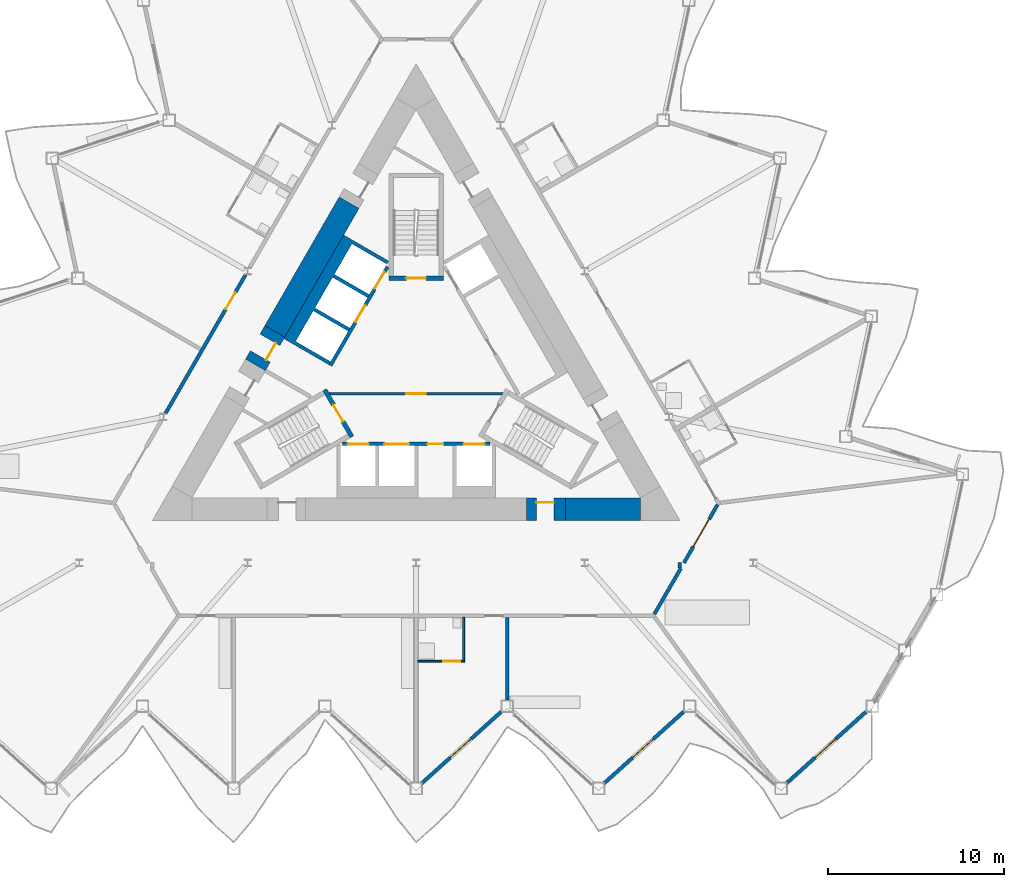
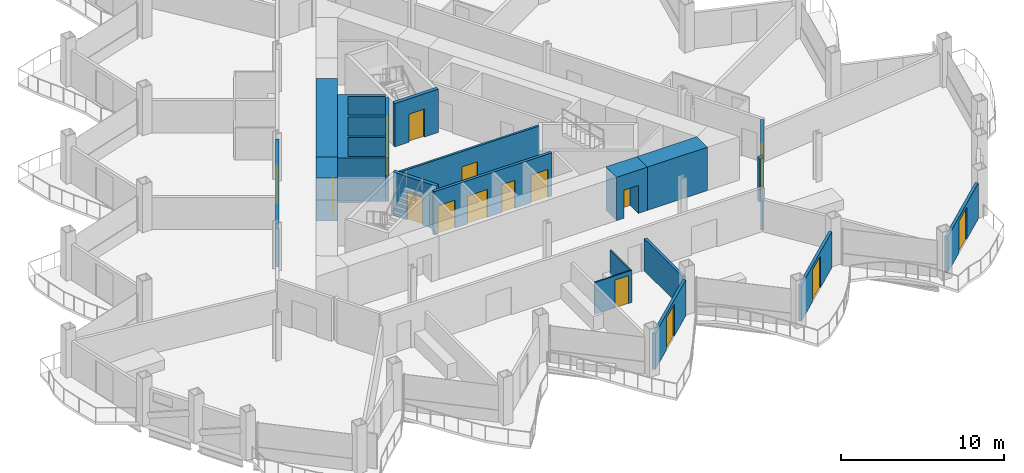
# One storey, part 12 of 24: 20 walls, 17 doors, 17 openings.
"""IFC4 building model written with IfcOpenShell, lengths in metres."""

from ifc_helpers import new_model, si_unit, direction, frame, frame_2d, origin, place, context, subcontext, project, spatial, polyline, rectangle, outline, extrude, material, layer, layer_set, type_object, element, fill, save


model = new_model("IFC4")

# Units and contexts
model_context = context("Model", 3, precision=1e-05, world=origin(), true_north=direction((0.0, 1.0)))
body_context = subcontext(model_context, "Body", "Model", "MODEL_VIEW")
ifc_project = project(units=[si_unit("LENGTHUNIT", "METRE"), si_unit("AREAUNIT", "SQUARE_METRE"), si_unit("VOLUMEUNIT", "CUBIC_METRE"), si_unit("PLANEANGLEUNIT", "RADIAN"), si_unit("MASSUNIT", "GRAM", prefix="KILO")], contexts=[model_context])

# Site, building, storey
site_placement = place(None, origin())
site = spatial("IfcSite", under=ifc_project, at=site_placement, CompositionType="ELEMENT")
building_placement = place(site_placement, origin())
building = spatial("IfcBuilding", under=site, at=building_placement, Name="Cormorant Prow Tower", CompositionType="ELEMENT")
storey_placement = place(building_placement, frame((0.0, 0.0, 270.60009765625)))
storey = spatial("IfcBuildingStorey", under=building, at=storey_placement, Name="L61", CompositionType="ELEMENT", Elevation=270.60009765625)

# Wall, opening, door
ifc_material_1 = material(Name="Gypsum board partition")
ifc_layer_1 = layer(ifc_material_1, 0.14990234375)
ifc_layer_set_1 = layer_set([ifc_layer_1], Name="Gypsum board partition")
wall_type_1 = type_object("IfcWallType", Name="Core partition 150", PredefinedType="PARTITIONING", material=ifc_layer_set_1)
wall_1_placement = place(storey_placement, frame((-4.941162109375, -1.449951171875, 0.0), z_axis=(0.0, 0.0, 1.0), x_axis=(1.0, 0.0, 0.0)))
wall_1 = element("IfcWall", 1, at=wall_1_placement, inside=storey, type_object=wall_type_1, Name="Firefighting lobby partition", PredefinedType="PARTITIONING", context=body_context, shape_type="SweptSolid", body=[
    extrude(rectangle(XDim=9.88232421875, YDim=0.14990234375, at=frame_2d((4.941162109375, 0.0))), origin(), (0.0, 0.0, 1.0), 3.25),
])
opening_1_placement = place(wall_1_placement, frame((4.39111328125, 0.0, 0.0)))
opening_1 = element("IfcOpeningElement", 2, at=opening_1_placement, cuts=wall_1, Name="Opening L61-C09", PredefinedType="OPENING", context=body_context, shape_type="SweptSolid", body=[
    extrude(rectangle(XDim=1.10009765625, YDim=2.10009765625, at=frame_2d((0.550048828125, 1.050048828125))), frame((0.0, 0.0849609375, 0.0), z_axis=(0.0, -1.0, 0.0), x_axis=(1.0, 0.0, 0.0)), (0.0, 0.0, 1.0), 0.169921875),
])
ifc_material_2 = material(Name="Painted steel", Category="steel")
door_type_1 = type_object("IfcDoorType", Name="Firefighting lobby door 1100x2100", OperationType="NOTDEFINED", PredefinedType="DOOR", material=ifc_material_2)
door_1_placement = place(opening_1_placement, origin())
door_1 = element("IfcDoor", 3, at=door_1_placement, inside=storey, type_object=door_type_1, Name="Firefighting lobby door", OperationType="SINGLE_SWING_LEFT", OverallHeight=2.10009765625, OverallWidth=1.10009765625, PredefinedType="DOOR", context=body_context, shape_type="SweptSolid", body=[
    extrude(rectangle(XDim=1.10009765625, YDim=2.10009765625, at=frame_2d((0.550048828125, 1.050048828125))), frame((0.0, 0.02490234375, 0.0), z_axis=(0.0, -1.0, 0.0), x_axis=(1.0, 0.0, 0.0)), (0.0, 0.0, 1.0), 0.050048828125),
])
fill(opening_1, door_1)

# Walls
ifc_material_3 = material(Name="Concrete 8000 psi", Category="concrete")
ifc_layer_2 = layer(ifc_material_3, 1.300048828125)
ifc_layer_set_2 = layer_set([ifc_layer_2], Name="Concrete 8000 psi")
wall_type_2 = type_object("IfcWallType", Name="Core shear wall 1300", PredefinedType="SHEAR", material=ifc_layer_set_2)
wall_2_placement = place(storey_placement, frame((8.48828125, -8.01025390625, 0.0), z_axis=(0.0, 0.0, 1.0), x_axis=(1.0, 0.0, 0.0)))
element("IfcWall", 4, at=wall_2_placement, inside=storey, type_object=wall_type_2, Name="Core wall", PredefinedType="SHEAR", context=body_context, shape_type="SweptSolid", body=[
    extrude(rectangle(XDim=4.260009765625, YDim=1.300048828125, at=frame_2d((2.1298828125, 0.0))), origin(), (0.0, 0.0, 1.0), 3.25),
])
wall_3_placement = place(storey_placement, frame((-3.811767578125, 9.41845703125, 0.0), z_axis=(0.0, 0.0, 1.0), x_axis=(-0.499995037753, -0.86602826872, 0.0)))
element("IfcWall", 5, at=wall_3_placement, inside=storey, type_object=wall_type_2, Name="Core wall", PredefinedType="SHEAR", context=body_context, shape_type="SweptSolid", body=[
    extrude(rectangle(XDim=8.45068359375, YDim=1.300048828125, at=frame_2d((4.225341796875, 0.0))), origin(), (0.0, 0.0, 1.0), 3.25),
])

# Wall, opening, door
wall_4_placement = place(storey_placement, frame((6.2880859375, -8.01025390625, 0.0), z_axis=(0.0, 0.0, 1.0), x_axis=(1.0, 0.0, 0.0)))
wall_4 = element("IfcWall", 6, at=wall_4_placement, inside=storey, type_object=wall_type_2, Name="Core wall door panel", PredefinedType="SHEAR", context=body_context, shape_type="SweptSolid", body=[
    extrude(rectangle(XDim=2.2001953125, YDim=1.300048828125, at=frame_2d((1.10009765625, 0.0))), origin(), (0.0, 0.0, 1.0), 3.25),
])
opening_2_placement = place(wall_4_placement, frame((0.550048828125, 0.0, 0.0)))
opening_2 = element("IfcOpeningElement", 7, at=opening_2_placement, cuts=wall_4, Name="Opening L61-C13", PredefinedType="OPENING", context=body_context, shape_type="SweptSolid", body=[
    extrude(rectangle(XDim=1.0, YDim=2.10009765625, at=frame_2d((0.5, 1.050048828125))), frame((0.0, 0.659912109375, 0.0), z_axis=(0.0, -1.0, 0.0), x_axis=(1.0, 0.0, 0.0)), (0.0, 0.0, 1.0), 1.320068359375),
])
ifc_material_4 = material(Name="Painted steel", Category="steel")
door_type_2 = type_object("IfcDoorType", Name="Service door 1000x2100", OperationType="NOTDEFINED", PredefinedType="DOOR", material=ifc_material_4)
door_2_placement = place(opening_2_placement, origin())
door_2 = element("IfcDoor", 8, at=door_2_placement, inside=storey, type_object=door_type_2, Name="Core door, Telecom room", OperationType="SINGLE_SWING_RIGHT", OverallHeight=2.10009765625, OverallWidth=1.0, PredefinedType="DOOR", context=body_context, shape_type="SweptSolid", body=[
    extrude(rectangle(XDim=1.0, YDim=2.10009765625, at=frame_2d((0.5, 1.050048828125))), frame((0.0, 0.40478515625, 0.0), z_axis=(0.0, -1.0, 0.0), x_axis=(1.0, 0.0, 0.0)), (0.0, 0.0, 1.0), 0.050048828125),
])
fill(opening_2, door_2)

wall_5_placement = place(storey_placement, frame((-8.037109375, 2.099853515625, 0.0), z_axis=(0.0, 0.0, 1.0), x_axis=(-0.50002983664, -0.866008176907, 0.0)))
wall_5 = element("IfcWall", 9, at=wall_5_placement, inside=storey, type_object=wall_type_2, Name="Core wall door panel", PredefinedType="SHEAR", context=body_context, shape_type="SweptSolid", body=[
    extrude(rectangle(XDim=2.199951171875, YDim=1.300048828125, at=frame_2d((1.10009765625, 0.0))), origin(), (0.0, 0.0, 1.0), 3.25),
])
opening_3_placement = place(wall_5_placement, frame((0.550048828125, 0.0, 0.0)))
opening_3 = element("IfcOpeningElement", 10, at=opening_3_placement, cuts=wall_5, Name="Opening L61-C19", PredefinedType="OPENING", context=body_context, shape_type="SweptSolid", body=[
    extrude(rectangle(XDim=1.10009765625, YDim=2.10009765625, at=frame_2d((0.550048828125, 1.050048828125))), frame((0.0, 0.659912109375, 0.0), z_axis=(0.0, -1.0, 0.0), x_axis=(1.0, 0.0, 0.0)), (0.0, 0.0, 1.0), 1.320068359375),
])
ifc_material_5 = material(Name="Painted steel", Category="steel")
door_type_3 = type_object("IfcDoorType", Name="Core door 1100x2100", OperationType="NOTDEFINED", PredefinedType="DOOR", material=ifc_material_5)
door_3_placement = place(opening_3_placement, origin())
door_3 = element("IfcDoor", 11, at=door_3_placement, inside=storey, type_object=door_type_3, Name="Core door, lift lobby", OperationType="SINGLE_SWING_RIGHT", OverallHeight=2.10009765625, OverallWidth=1.10009765625, PredefinedType="DOOR", context=body_context, shape_type="SweptSolid", body=[
    extrude(rectangle(XDim=1.10009765625, YDim=2.10009765625, at=frame_2d((0.550048828125, 1.050048828125))), frame((0.0, 0.40478515625, 0.0), z_axis=(0.0, -1.0, 0.0), x_axis=(1.0, 0.0, 0.0)), (0.0, 0.0, 1.0), 0.050048828125),
])
fill(opening_3, door_3)

ifc_material_6 = material(Name="Gypsum board corridor wall")
ifc_layer_3 = layer(ifc_material_6, 0.199951171875)
ifc_layer_set_3 = layer_set([ifc_layer_3], Name="Gypsum board corridor wall")
wall_type_3 = type_object("IfcWallType", Name="Corridor wall 200", PredefinedType="PARTITIONING", material=ifc_layer_set_3)
wall_6_placement = place(storey_placement, frame((-14.24658203125, -2.5556640625, 0.0), z_axis=(0.0, 0.0, 1.0), x_axis=(0.49998193945, 0.866035830797, 0.0)))
wall_6 = element("IfcWall", 12, at=wall_6_placement, inside=storey, type_object=wall_type_3, Name="Corridor wall", PredefinedType="PARTITIONING", context=body_context, shape_type="SweptSolid", body=[
    extrude(rectangle(XDim=9.094482421875, YDim=0.199951171875, at=frame_2d((4.54736328125, 0.0))), origin(), (0.0, 0.0, 1.0), 3.25),
])
opening_4_placement = place(wall_6_placement, frame((6.833251953125, 0.0, 0.0)))
opening_4 = element("IfcOpeningElement", 13, at=opening_4_placement, cuts=wall_6, Name="Opening L61-F17", PredefinedType="OPENING", context=body_context, shape_type="SweptSolid", body=[
    extrude(rectangle(XDim=1.10009765625, YDim=2.10009765625, at=frame_2d((0.550048828125, 1.050048828125))), frame((0.0, 0.10986328125, 0.0), z_axis=(0.0, -1.0, 0.0), x_axis=(1.0, 0.0, 0.0)), (0.0, 0.0, 1.0), 0.219970703125),
])
ifc_material_7 = material(Name="Timber door leaf", Category="wood")
door_type_4 = type_object("IfcDoorType", Name="Suite entrance door 1100x2100", OperationType="NOTDEFINED", PredefinedType="DOOR", material=ifc_material_7)
door_4_placement = place(opening_4_placement, origin())
door_4 = element("IfcDoor", 14, at=door_4_placement, inside=storey, type_object=door_type_4, Name="Junior suite door", OperationType="SINGLE_SWING_RIGHT", OverallHeight=2.10009765625, OverallWidth=1.10009765625, PredefinedType="DOOR", context=body_context, shape_type="SweptSolid", body=[
    extrude(rectangle(XDim=1.10009765625, YDim=2.10009765625, at=frame_2d((0.550048828125, 1.050048828125))), frame((0.0, 0.02490234375, 0.0), z_axis=(0.0, -1.0, 0.0), x_axis=(1.0, 0.0, 0.0)), (0.0, 0.0, 1.0), 0.050048828125),
])
fill(opening_4, door_4)

wall_7_placement = place(storey_placement, frame((15.23095703125, -11.060302734375, 0.0), z_axis=(0.0, 0.0, 1.0), x_axis=(0.499961815444, 0.866047448526, 0.0)))
wall_7 = element("IfcWall", 15, at=wall_7_placement, inside=storey, type_object=wall_type_3, Name="Corridor wall", PredefinedType="PARTITIONING", context=body_context, shape_type="SweptSolid", body=[
    extrude(rectangle(XDim=3.825927734375, YDim=0.199951171875, at=frame_2d((1.9130859375, 0.0))), origin(), (0.0, 0.0, 1.0), 3.25),
])
opening_5_placement = place(wall_7_placement, frame((1.06396484375, 0.0, 0.0)))
opening_5 = element("IfcOpeningElement", 16, at=opening_5_placement, cuts=wall_7, Name="Opening L61-F06", PredefinedType="OPENING", context=body_context, shape_type="SweptSolid", body=[
    extrude(rectangle(XDim=1.800048828125, YDim=2.10009765625, at=frame_2d((0.89990234375, 1.050048828125))), frame((0.0, 0.10986328125, 0.0), z_axis=(0.0, -1.0, 0.0), x_axis=(1.0, 0.0, 0.0)), (0.0, 0.0, 1.0), 0.219970703125),
])
ifc_material_8 = material(Name="Timber door leaf", Category="wood")
door_type_5 = type_object("IfcDoorType", Name="Double door 1800x2100", OperationType="DOUBLE_DOOR_SINGLE_SWING", PredefinedType="DOOR", material=ifc_material_8)
door_5_placement = place(opening_5_placement, origin())
door_5 = element("IfcDoor", 17, at=door_5_placement, inside=storey, type_object=door_type_5, Name="Co-working space door", OperationType="DOUBLE_DOOR_SINGLE_SWING", OverallHeight=2.10009765625, OverallWidth=1.800048828125, PredefinedType="DOOR", context=body_context, shape_type="SweptSolid", body=[
    extrude(rectangle(XDim=1.800048828125, YDim=2.10009765625, at=frame_2d((0.89990234375, 1.050048828125))), frame((0.0, 0.02490234375, 0.0), z_axis=(0.0, -1.0, 0.0), x_axis=(1.0, 0.0, 0.0)), (0.0, 0.0, 1.0), 0.050048828125),
])
fill(opening_5, door_5)

# Walls
wall_8_placement = place(storey_placement, frame((13.548828125, -13.9736328125, 0.0), z_axis=(0.0, 0.0, 1.0), x_axis=(0.500048608389, 0.865997337899, 0.0)))
element("IfcWall", 18, at=wall_8_placement, inside=storey, type_object=wall_type_3, Name="Corridor wall", PredefinedType="PARTITIONING", context=body_context, shape_type="SweptSolid", body=[
    extrude(rectangle(XDim=3.002197265625, YDim=0.199951171875, at=frame_2d((1.5009765625, 0.0))), origin(), (0.0, 0.0, 1.0), 3.25),
])
wall_9_placement = place(storey_placement, frame((15.0, -11.3603515625, 0.0), z_axis=(0.0, 0.0, 1.0), x_axis=(0.0, 1.0, 0.0)))
element("IfcWall", 19, at=wall_9_placement, inside=storey, type_object=wall_type_3, Name="Corridor wall", PredefinedType="PARTITIONING", context=body_context, shape_type="SweptSolid", body=[
    extrude(rectangle(XDim=0.31005859375, YDim=0.199951171875, at=frame_2d((0.155029296875, 0.0))), origin(), (0.0, 0.0, 1.0), 3.25),
])
ifc_material_9 = material(Name="Gypsum board demising wall")
ifc_layer_4 = layer(ifc_material_9, 0.199951171875)
ifc_layer_set_4 = layer_set([ifc_layer_4], Name="Gypsum board demising wall")
wall_type_4 = type_object("IfcWallType", Name="Demising wall 200", PredefinedType="PARTITIONING", material=ifc_layer_set_4)
wall_10_placement = place(storey_placement, frame((5.185302734375, -18.85546875, 0.0), z_axis=(0.0, 0.0, 1.0), x_axis=(0.0, 1.0, 0.0)))
element("IfcWall", 20, at=wall_10_placement, inside=storey, type_object=wall_type_4, Name="Demising wall", PredefinedType="PARTITIONING", context=body_context, shape_type="SweptSolid", body=[
    extrude(rectangle(XDim=4.695068359375, YDim=0.199951171875, at=frame_2d((2.34765625, 0.0))), origin(), (0.0, 0.0, 1.0), 2.404052734375),
])

# Wall, opening, door
ifc_material_10 = material(Name="Gypsum board partition")
ifc_layer_5 = layer(ifc_material_10, 0.10009765625)
ifc_layer_set_5 = layer_set([ifc_layer_5], Name="Gypsum board partition")
wall_type_5 = type_object("IfcWallType", Name="Internal partition 100", PredefinedType="PARTITIONING", material=ifc_layer_set_5)
wall_11_placement = place(storey_placement, frame((0.10009765625, -16.660400390625, 0.0), z_axis=(0.0, 0.0, 1.0), x_axis=(1.0, 0.0, 0.0)))
wall_11 = element("IfcWall", 21, at=wall_11_placement, inside=storey, type_object=wall_type_5, Name="Internal partition", PredefinedType="PARTITIONING", context=body_context, shape_type="SweptSolid", body=[
    extrude(rectangle(XDim=2.64990234375, YDim=0.10009765625, at=frame_2d((1.324951171875, 0.0))), origin(), (0.0, 0.0, 1.0), 2.404052734375),
])
opening_6_placement = place(wall_11_placement, frame((1.449951171875, 0.0, 0.0)))
opening_6 = element("IfcOpeningElement", 22, at=opening_6_placement, cuts=wall_11, Name="Opening L61-F04", PredefinedType="OPENING", context=body_context, shape_type="SweptSolid", body=[
    extrude(rectangle(XDim=0.949951171875, YDim=2.10009765625, at=frame_2d((0.47509765625, 1.050048828125))), frame((0.0, 0.06005859375, 0.0), z_axis=(0.0, -1.0, 0.0), x_axis=(1.0, 0.0, 0.0)), (0.0, 0.0, 1.0), 0.1201171875),
])
ifc_material_11 = material(Name="Timber door leaf", Category="wood")
door_type_6 = type_object("IfcDoorType", Name="Bathroom door 950x2100", OperationType="NOTDEFINED", PredefinedType="DOOR", material=ifc_material_11)
door_6_placement = place(opening_6_placement, origin())
door_6 = element("IfcDoor", 23, at=door_6_placement, inside=storey, type_object=door_type_6, Name="Guest room door", OperationType="SINGLE_SWING_RIGHT", OverallHeight=2.10009765625, OverallWidth=0.949951171875, PredefinedType="DOOR", context=body_context, shape_type="SweptSolid", body=[
    extrude(rectangle(XDim=0.949951171875, YDim=2.10009765625, at=frame_2d((0.47509765625, 1.050048828125))), frame((0.0, 0.02490234375, 0.0), z_axis=(0.0, -1.0, 0.0), x_axis=(1.0, 0.0, 0.0)), (0.0, 0.0, 1.0), 0.050048828125),
])
fill(opening_6, door_6)

# Wall
wall_12_placement = place(storey_placement, frame((2.699951171875, -16.6103515625, 0.0), z_axis=(0.0, 0.0, 1.0), x_axis=(0.0, 1.0, 0.0)))
element("IfcWall", 24, at=wall_12_placement, inside=storey, type_object=wall_type_5, Name="Internal partition", PredefinedType="PARTITIONING", context=body_context, shape_type="SweptSolid", body=[
    extrude(rectangle(XDim=2.449951171875, YDim=0.10009765625, at=frame_2d((1.22509765625, 0.0))), origin(), (0.0, 0.0, 1.0), 2.404052734375),
])

# Wall, openings, doors
ifc_material_12 = material(Name="Concrete 5000 psi", Category="concrete")
ifc_layer_6 = layer(ifc_material_12, 0.199951171875)
ifc_layer_set_6 = layer_set([ifc_layer_6], Name="Concrete 5000 psi")
wall_type_6 = type_object("IfcWallType", Name="Lift lobby wall 200", PredefinedType="SOLIDWALL", material=ifc_layer_set_6)
wall_13_placement = place(storey_placement, frame((-4.1865234375, -4.300048828125, 0.0), z_axis=(0.0, 0.0, 1.0), x_axis=(1.0, 0.0, 0.0)))
wall_13 = element("IfcWall", 25, at=wall_13_placement, inside=storey, type_object=wall_type_6, Name="Lift lobby wall, S block", PredefinedType="SOLIDWALL", context=body_context, shape_type="SweptSolid", body=[
    extrude(rectangle(XDim=8.373046875, YDim=0.199951171875, at=frame_2d((4.1865234375, 0.0))), origin(), (0.0, 0.0, 1.0), 3.25),
])
opening_7_placement = place(wall_13_placement, frame((0.28662109375, 0.0, 0.0)))
opening_7 = element("IfcOpeningElement", 26, at=opening_7_placement, cuts=wall_13, Name="Opening L61-C01", PredefinedType="OPENING", context=body_context, shape_type="SweptSolid", body=[
    extrude(rectangle(XDim=1.199951171875, YDim=2.10009765625, at=frame_2d((0.60009765625, 1.050048828125))), frame((0.0, 0.10986328125, 0.0), z_axis=(0.0, -1.0, 0.0), x_axis=(1.0, 0.0, 0.0)), (0.0, 0.0, 1.0), 0.219970703125),
])
opening_8_placement = place(wall_13_placement, frame((2.38671875, 0.0, 0.0)))
opening_8 = element("IfcOpeningElement", 27, at=opening_8_placement, cuts=wall_13, Name="Opening L61-C02", PredefinedType="OPENING", context=body_context, shape_type="SweptSolid", body=[
    extrude(rectangle(XDim=1.39990234375, YDim=2.10009765625, at=frame_2d((0.699951171875, 1.050048828125))), frame((0.0, 0.10986328125, 0.0), z_axis=(0.0, -1.0, 0.0), x_axis=(1.0, 0.0, 0.0)), (0.0, 0.0, 1.0), 0.219970703125),
])
opening_9_placement = place(wall_13_placement, frame((4.836669921875, 0.0, 0.0)))
opening_9 = element("IfcOpeningElement", 28, at=opening_9_placement, cuts=wall_13, Name="Opening L61-C03", PredefinedType="OPENING", context=body_context, shape_type="SweptSolid", body=[
    extrude(rectangle(XDim=0.89990234375, YDim=2.10009765625, at=frame_2d((0.449951171875, 1.050048828125))), frame((0.0, 0.10986328125, 0.0), z_axis=(0.0, -1.0, 0.0), x_axis=(1.0, 0.0, 0.0)), (0.0, 0.0, 1.0), 0.219970703125),
])
opening_10_placement = place(wall_13_placement, frame((6.88671875, 0.0, 0.0)))
opening_10 = element("IfcOpeningElement", 29, at=opening_10_placement, cuts=wall_13, Name="Opening L61-C04", PredefinedType="OPENING", context=body_context, shape_type="SweptSolid", body=[
    extrude(rectangle(XDim=1.199951171875, YDim=2.10009765625, at=frame_2d((0.60009765625, 1.050048828125))), frame((0.0, 0.10986328125, 0.0), z_axis=(0.0, -1.0, 0.0), x_axis=(1.0, 0.0, 0.0)), (0.0, 0.0, 1.0), 0.219970703125),
])
ifc_material_13 = material(Name="Painted steel", Category="steel")
door_type_7 = type_object("IfcDoorType", Name="Firefighting lift landing door 1200x2100", OperationType="SLIDING_TO_LEFT", PredefinedType="DOOR", material=ifc_material_13)
door_7_placement = place(opening_7_placement, origin())
door_7 = element("IfcDoor", 30, at=door_7_placement, inside=storey, type_object=door_type_7, Name="Landing door FL1", OperationType="SLIDING_TO_LEFT", OverallHeight=2.10009765625, OverallWidth=1.199951171875, PredefinedType="DOOR", context=body_context, shape_type="SweptSolid", body=[
    extrude(rectangle(XDim=1.199951171875, YDim=2.10009765625, at=frame_2d((0.60009765625, 1.050048828125))), frame((0.0, 0.02490234375, 0.0), z_axis=(0.0, -1.0, 0.0), x_axis=(1.0, 0.0, 0.0)), (0.0, 0.0, 1.0), 0.050048828125),
])
fill(opening_7, door_7)
door_8_placement = place(opening_10_placement, origin())
door_8 = element("IfcDoor", 31, at=door_8_placement, inside=storey, type_object=door_type_7, Name="Landing door FL2", OperationType="SLIDING_TO_LEFT", OverallHeight=2.10009765625, OverallWidth=1.199951171875, PredefinedType="DOOR", context=body_context, shape_type="SweptSolid", body=[
    extrude(rectangle(XDim=1.199951171875, YDim=2.10009765625, at=frame_2d((0.60009765625, 1.050048828125))), frame((0.0, 0.02490234375, 0.0), z_axis=(0.0, -1.0, 0.0), x_axis=(1.0, 0.0, 0.0)), (0.0, 0.0, 1.0), 0.050048828125),
])
fill(opening_10, door_8)
ifc_material_14 = material(Name="Painted steel", Category="steel")
door_type_8 = type_object("IfcDoorType", Name="Service door 900x2100", OperationType="NOTDEFINED", PredefinedType="DOOR", material=ifc_material_14)
door_9_placement = place(opening_9_placement, origin())
door_9 = element("IfcDoor", 32, at=door_9_placement, inside=storey, type_object=door_type_8, Name="Service door, Telecom room", OperationType="SINGLE_SWING_RIGHT", OverallHeight=2.10009765625, OverallWidth=0.89990234375, PredefinedType="DOOR", context=body_context, shape_type="SweptSolid", body=[
    extrude(rectangle(XDim=0.89990234375, YDim=2.10009765625, at=frame_2d((0.449951171875, 1.050048828125))), frame((0.0, 0.02490234375, 0.0), z_axis=(0.0, -1.0, 0.0), x_axis=(1.0, 0.0, 0.0)), (0.0, 0.0, 1.0), 0.050048828125),
])
fill(opening_9, door_9)
ifc_material_15 = material(Name="Painted steel", Category="steel")
door_type_9 = type_object("IfcDoorType", Name="Service lift landing door 1400x2100", OperationType="SLIDING_TO_LEFT", PredefinedType="DOOR", material=ifc_material_15)
door_10_placement = place(opening_8_placement, origin())
door_10 = element("IfcDoor", 33, at=door_10_placement, inside=storey, type_object=door_type_9, Name="Landing door SL1", OperationType="SLIDING_TO_LEFT", OverallHeight=2.10009765625, OverallWidth=1.39990234375, PredefinedType="DOOR", context=body_context, shape_type="SweptSolid", body=[
    extrude(rectangle(XDim=1.39990234375, YDim=2.10009765625, at=frame_2d((0.699951171875, 1.050048828125))), frame((0.0, 0.02490234375, 0.0), z_axis=(0.0, -1.0, 0.0), x_axis=(1.0, 0.0, 0.0)), (0.0, 0.0, 1.0), 0.050048828125),
])
fill(opening_8, door_10)

wall_14_placement = place(storey_placement, frame((-1.630615234375, 5.775634765625, 0.0), z_axis=(0.0, 0.0, 1.0), x_axis=(-0.499992876559, -0.866029516466, 0.0)))
wall_14 = element("IfcWall", 34, at=wall_14_placement, inside=storey, type_object=wall_type_6, Name="Lift lobby wall, WNW block", PredefinedType="SOLIDWALL", context=body_context, shape_type="SweptSolid", body=[
    extrude(rectangle(XDim=6.486328125, YDim=0.199951171875, at=frame_2d((3.2431640625, 0.0))), origin(), (0.0, 0.0, 1.0), 3.25),
])
opening_11_placement = place(wall_14_placement, frame((0.336669921875, 0.0, 0.0)))
opening_11 = element("IfcOpeningElement", 35, at=opening_11_placement, cuts=wall_14, Name="Opening L61-C07", PredefinedType="OPENING", context=body_context, shape_type="SweptSolid", body=[
    extrude(rectangle(XDim=1.10009765625, YDim=2.10009765625, at=frame_2d((0.550048828125, 1.050048828125))), frame((0.0, 0.10986328125, 0.0), z_axis=(0.0, -1.0, 0.0), x_axis=(1.0, 0.0, 0.0)), (0.0, 0.0, 1.0), 0.219970703125),
])
opening_12_placement = place(wall_14_placement, frame((2.53662109375, 0.0, 0.0)))
opening_12 = element("IfcOpeningElement", 36, at=opening_12_placement, cuts=wall_14, Name="Opening L61-C08", PredefinedType="OPENING", context=body_context, shape_type="SweptSolid", body=[
    extrude(rectangle(XDim=1.10009765625, YDim=2.10009765625, at=frame_2d((0.550048828125, 1.050048828125))), frame((0.0, 0.10986328125, 0.0), z_axis=(0.0, -1.0, 0.0), x_axis=(1.0, 0.0, 0.0)), (0.0, 0.0, 1.0), 0.219970703125),
])
ifc_material_16 = material(Name="Painted steel", Category="steel")
door_type_10 = type_object("IfcDoorType", Name="Lift landing door 1100x2100", OperationType="SLIDING_TO_LEFT", PredefinedType="DOOR", material=ifc_material_16)
door_11_placement = place(opening_11_placement, origin())
door_11 = element("IfcDoor", 37, at=door_11_placement, inside=storey, type_object=door_type_10, Name="Landing door MR2", OperationType="SLIDING_TO_LEFT", OverallHeight=2.10009765625, OverallWidth=1.10009765625, PredefinedType="DOOR", context=body_context, shape_type="SweptSolid", body=[
    extrude(rectangle(XDim=1.10009765625, YDim=2.10009765625, at=frame_2d((0.550048828125, 1.050048828125))), frame((0.0, 0.02490234375, 0.0), z_axis=(0.0, -1.0, 0.0), x_axis=(1.0, 0.0, 0.0)), (0.0, 0.0, 1.0), 0.050048828125),
])
fill(opening_11, door_11)
door_12_placement = place(opening_12_placement, origin())
door_12 = element("IfcDoor", 38, at=door_12_placement, inside=storey, type_object=door_type_10, Name="Landing door MR3", OperationType="SLIDING_TO_LEFT", OverallHeight=2.10009765625, OverallWidth=1.10009765625, PredefinedType="DOOR", context=body_context, shape_type="SweptSolid", body=[
    extrude(rectangle(XDim=1.10009765625, YDim=2.10009765625, at=frame_2d((0.550048828125, 1.050048828125))), frame((0.0, 0.02490234375, 0.0), z_axis=(0.0, -1.0, 0.0), x_axis=(1.0, 0.0, 0.0)), (0.0, 0.0, 1.0), 0.050048828125),
])
fill(opening_12, door_12)

# Wall
ifc_material_17 = material(Name="Concrete 8000 psi", Category="concrete")
ifc_layer_7 = layer(ifc_material_17, 0.199951171875)
ifc_layer_set_7 = layer_set([ifc_layer_7], Name="Concrete 8000 psi")
wall_type_7 = type_object("IfcWallType", Name="Lift shaft wall 200", PredefinedType="SHEAR", material=ifc_layer_set_7)
wall_15_placement = place(storey_placement, origin())
element("IfcWall", 39, at=wall_15_placement, inside=storey, type_object=wall_type_7, Name="Lift shaft walls, WNW block", PredefinedType="SHEAR", context=body_context, shape_type="SweptSolid", body=[
    extrude(outline(polyline([(-7.524169921875, 1.688232421875), (-4.124267578125, 7.5771484375), (-3.730712890625, 7.35009765625), (-1.560546875, 6.09716796875), (-1.660400390625, 5.923828125), (-3.65234375, 7.073974609375), (-4.65234375, 5.341796875), (-2.660400390625, 4.19189453125), (-2.760498046875, 4.018798828125), (-4.75244140625, 5.168701171875), (-5.75244140625, 3.4365234375), (-3.760498046875, 2.28662109375), (-3.860595703125, 2.11328125), (-5.852294921875, 3.263427734375), (-6.852294921875, 1.53125), (-4.860595703125, 0.38134765625), (-4.96044921875, 0.2080078125), (-7.130859375, 1.461181640625), (-7.524169921875, 1.688232421875)])), origin(), (0.0, 0.0, 1.0), 3.25),
])

# Wall, opening, door
ifc_material_18 = material(Name="Concrete 8000 psi", Category="concrete")
ifc_layer_8 = layer(ifc_material_18, 0.25)
ifc_layer_set_8 = layer_set([ifc_layer_8], Name="Concrete 8000 psi")
wall_type_8 = type_object("IfcWallType", Name="Stair wall 250", PredefinedType="SHEAR", material=ifc_layer_set_8)
wall_16_placement = place(storey_placement, frame((-5.198974609375, -1.21875, 0.0), z_axis=(0.0, 0.0, 1.0), x_axis=(0.499982516597, -0.866035497597, 0.0)))
wall_16 = element("IfcWall", 40, at=wall_16_placement, inside=storey, type_object=wall_type_8, Name="Stair ST1 door wall", PredefinedType="SHEAR", context=body_context, shape_type="SweptSolid", body=[
    extrude(rectangle(XDim=3.087890625, YDim=0.25, at=frame_2d((1.5439453125, 0.0))), origin(), (0.0, 0.0, 1.0), 3.25),
])
opening_13_placement = place(wall_16_placement, frame((0.993896484375, 0.0, 0.0)))
opening_13 = element("IfcOpeningElement", 41, at=opening_13_placement, cuts=wall_16, Name="Opening L61-C10", PredefinedType="OPENING", context=body_context, shape_type="SweptSolid", body=[
    extrude(rectangle(XDim=1.10009765625, YDim=2.10009765625, at=frame_2d((0.550048828125, 1.050048828125))), frame((0.0, 0.135009765625, 0.0), z_axis=(0.0, -1.0, 0.0), x_axis=(1.0, 0.0, 0.0)), (0.0, 0.0, 1.0), 0.27001953125),
])
ifc_material_19 = material(Name="Painted steel", Category="steel")
door_type_11 = type_object("IfcDoorType", Name="Stair door 1100x2100", OperationType="NOTDEFINED", PredefinedType="DOOR", material=ifc_material_19)
door_13_placement = place(opening_13_placement, origin())
door_13 = element("IfcDoor", 42, at=door_13_placement, inside=storey, type_object=door_type_11, Name="Stair ST1 door", OperationType="SINGLE_SWING_LEFT", OverallHeight=2.10009765625, OverallWidth=1.10009765625, PredefinedType="DOOR", context=body_context, shape_type="SweptSolid", body=[
    extrude(rectangle(XDim=1.10009765625, YDim=2.10009765625, at=frame_2d((0.550048828125, 1.050048828125))), frame((0.0, 0.02490234375, 0.0), z_axis=(0.0, -1.0, 0.0), x_axis=(1.0, 0.0, 0.0)), (0.0, 0.0, 1.0), 0.050048828125),
])
fill(opening_13, door_13)

wall_17_placement = place(storey_placement, frame((1.5439453125, 5.11181640625, 0.0), z_axis=(0.0, 0.0, 1.0), x_axis=(-1.0, 0.0, 0.0)))
wall_17 = element("IfcWall", 43, at=wall_17_placement, inside=storey, type_object=wall_type_8, Name="Stair ST3 door wall", PredefinedType="SHEAR", context=body_context, shape_type="SweptSolid", body=[
    extrude(rectangle(XDim=3.087890625, YDim=0.25, at=frame_2d((1.5439453125, 0.0))), origin(), (0.0, 0.0, 1.0), 3.25),
])
opening_14_placement = place(wall_17_placement, frame((0.993896484375, 0.0, 0.0)))
opening_14 = element("IfcOpeningElement", 44, at=opening_14_placement, cuts=wall_17, Name="Opening L61-C12", PredefinedType="OPENING", context=body_context, shape_type="SweptSolid", body=[
    extrude(rectangle(XDim=1.10009765625, YDim=2.10009765625, at=frame_2d((0.550048828125, 1.050048828125))), frame((0.0, 0.135009765625, 0.0), z_axis=(0.0, -1.0, 0.0), x_axis=(1.0, 0.0, 0.0)), (0.0, 0.0, 1.0), 0.27001953125),
])
door_14_placement = place(opening_14_placement, origin())
door_14 = element("IfcDoor", 45, at=door_14_placement, inside=storey, type_object=door_type_11, Name="Stair ST3 door", OperationType="SINGLE_SWING_RIGHT", OverallHeight=2.10009765625, OverallWidth=1.10009765625, PredefinedType="DOOR", context=body_context, shape_type="SweptSolid", body=[
    extrude(rectangle(XDim=1.10009765625, YDim=2.10009765625, at=frame_2d((0.550048828125, 1.050048828125))), frame((0.0, 0.02490234375, 0.0), z_axis=(0.0, -1.0, 0.0), x_axis=(1.0, 0.0, 0.0)), (0.0, 0.0, 1.0), 0.050048828125),
])
fill(opening_14, door_14)

ifc_material_20 = material(Name="Terracotta", Category="masonry")
ifc_layer_9 = layer(ifc_material_20, 0.199951171875)
ifc_layer_set_9 = layer_set([ifc_layer_9], Name="Terracotta")
wall_type_9 = type_object("IfcWallType", Name="Terracotta jamb wall 200", PredefinedType="SOLIDWALL", material=ifc_layer_set_9)
wall_18_placement = place(storey_placement, frame((0.305419921875, -23.605712890625, 0.0), z_axis=(0.0, 0.0, 1.0), x_axis=(0.743144443869, 0.669131030178, 0.0)))
wall_18 = element("IfcWall", 46, at=wall_18_placement, inside=storey, type_object=wall_type_9, Name="Terracotta jamb wall S05", PredefinedType="SOLIDWALL", context=body_context, shape_type="SweptSolid", body=[
    extrude(rectangle(XDim=6.08251953125, YDim=0.199951171875, at=frame_2d((3.041259765625, 0.0))), origin(), (0.0, 0.0, 1.0), 2.70068359375),
])
opening_15_placement = place(wall_18_placement, frame((2.187744140625, 0.0, 0.0)))
opening_15 = element("IfcOpeningElement", 47, at=opening_15_placement, cuts=wall_18, Name="Opening ED61.03", PredefinedType="OPENING", context=body_context, shape_type="SweptSolid", body=[
    extrude(rectangle(XDim=1.60009765625, YDim=2.39990234375, at=frame_2d((0.800048828125, 1.199951171875))), frame((0.0, 0.10986328125, 0.0), z_axis=(0.0, -1.0, 0.0), x_axis=(1.0, 0.0, 0.0)), (0.0, 0.0, 1.0), 0.219970703125),
])
ifc_material_21 = material(Name="Aluminium 6063-T6", Category="aluminium")
door_type_12 = type_object("IfcDoorType", Name="Balcony door 1600x2400", OperationType="DOUBLE_DOOR_SINGLE_SWING", PredefinedType="DOOR", material=ifc_material_21)
door_15_placement = place(opening_15_placement, origin())
door_15 = element("IfcDoor", 48, at=door_15_placement, inside=storey, type_object=door_type_12, Name="Balcony door S05 ED61.03", OperationType="DOUBLE_DOOR_SINGLE_SWING", OverallHeight=2.39990234375, OverallWidth=1.60009765625, PredefinedType="DOOR", context=body_context, shape_type="SweptSolid", body=[
    extrude(rectangle(XDim=1.60009765625, YDim=2.39990234375, at=frame_2d((0.800048828125, 1.199951171875))), frame((0.0, 0.02490234375, 0.0), z_axis=(0.0, -1.0, 0.0), x_axis=(1.0, 0.0, 0.0)), (0.0, 0.0, 1.0), 0.050048828125),
])
fill(opening_15, door_15)

wall_19_placement = place(storey_placement, frame((10.67578125, -23.605712890625, 0.0), z_axis=(0.0, 0.0, 1.0), x_axis=(0.743144443869, 0.669131030178, 0.0)))
wall_19 = element("IfcWall", 49, at=wall_19_placement, inside=storey, type_object=wall_type_9, Name="Terracotta jamb wall S07", PredefinedType="SOLIDWALL", context=body_context, shape_type="SweptSolid", body=[
    extrude(rectangle(XDim=6.08251953125, YDim=0.199951171875, at=frame_2d((3.041259765625, 0.0))), origin(), (0.0, 0.0, 1.0), 2.70068359375),
])
opening_16_placement = place(wall_19_placement, frame((2.187744140625, 0.0, 0.0)))
opening_16 = element("IfcOpeningElement", 50, at=opening_16_placement, cuts=wall_19, Name="Opening ED61.04", PredefinedType="OPENING", context=body_context, shape_type="SweptSolid", body=[
    extrude(rectangle(XDim=1.60009765625, YDim=2.39990234375, at=frame_2d((0.800048828125, 1.199951171875))), frame((0.0, 0.10986328125, 0.0), z_axis=(0.0, -1.0, 0.0), x_axis=(1.0, 0.0, 0.0)), (0.0, 0.0, 1.0), 0.219970703125),
])
door_16_placement = place(opening_16_placement, origin())
door_16 = element("IfcDoor", 51, at=door_16_placement, inside=storey, type_object=door_type_12, Name="Balcony door S07 ED61.04", OperationType="DOUBLE_DOOR_SINGLE_SWING", OverallHeight=2.39990234375, OverallWidth=1.60009765625, PredefinedType="DOOR", context=body_context, shape_type="SweptSolid", body=[
    extrude(rectangle(XDim=1.60009765625, YDim=2.39990234375, at=frame_2d((0.800048828125, 1.199951171875))), frame((0.0, 0.02490234375, 0.0), z_axis=(0.0, -1.0, 0.0), x_axis=(1.0, 0.0, 0.0)), (0.0, 0.0, 1.0), 0.050048828125),
])
fill(opening_16, door_16)

wall_20_placement = place(storey_placement, frame((21.046142578125, -23.605712890625, 0.0), z_axis=(0.0, 0.0, 1.0), x_axis=(0.743162414049, 0.669111071755, 0.0)))
wall_20 = element("IfcWall", 52, at=wall_20_placement, inside=storey, type_object=wall_type_9, Name="Terracotta jamb wall S09", PredefinedType="SOLIDWALL", context=body_context, shape_type="SweptSolid", body=[
    extrude(rectangle(XDim=6.082763671875, YDim=0.199951171875, at=frame_2d((3.04150390625, 0.0))), origin(), (0.0, 0.0, 1.0), 2.70068359375),
])
opening_17_placement = place(wall_20_placement, frame((2.187744140625, 0.0, 0.0)))
opening_17 = element("IfcOpeningElement", 53, at=opening_17_placement, cuts=wall_20, Name="Opening ED61.05", PredefinedType="OPENING", context=body_context, shape_type="SweptSolid", body=[
    extrude(rectangle(XDim=1.60009765625, YDim=2.39990234375, at=frame_2d((0.800048828125, 1.199951171875))), frame((0.0, 0.10986328125, 0.0), z_axis=(0.0, -1.0, 0.0), x_axis=(1.0, 0.0, 0.0)), (0.0, 0.0, 1.0), 0.219970703125),
])
door_17_placement = place(opening_17_placement, origin())
door_17 = element("IfcDoor", 54, at=door_17_placement, inside=storey, type_object=door_type_12, Name="Balcony door S09 ED61.05", OperationType="DOUBLE_DOOR_SINGLE_SWING", OverallHeight=2.39990234375, OverallWidth=1.60009765625, PredefinedType="DOOR", context=body_context, shape_type="SweptSolid", body=[
    extrude(rectangle(XDim=1.60009765625, YDim=2.39990234375, at=frame_2d((0.800048828125, 1.199951171875))), frame((0.0, 0.02490234375, 0.0), z_axis=(0.0, -1.0, 0.0), x_axis=(1.0, 0.0, 0.0)), (0.0, 0.0, 1.0), 0.050048828125),
])
fill(opening_17, door_17)

save(model, "model.ifc")
